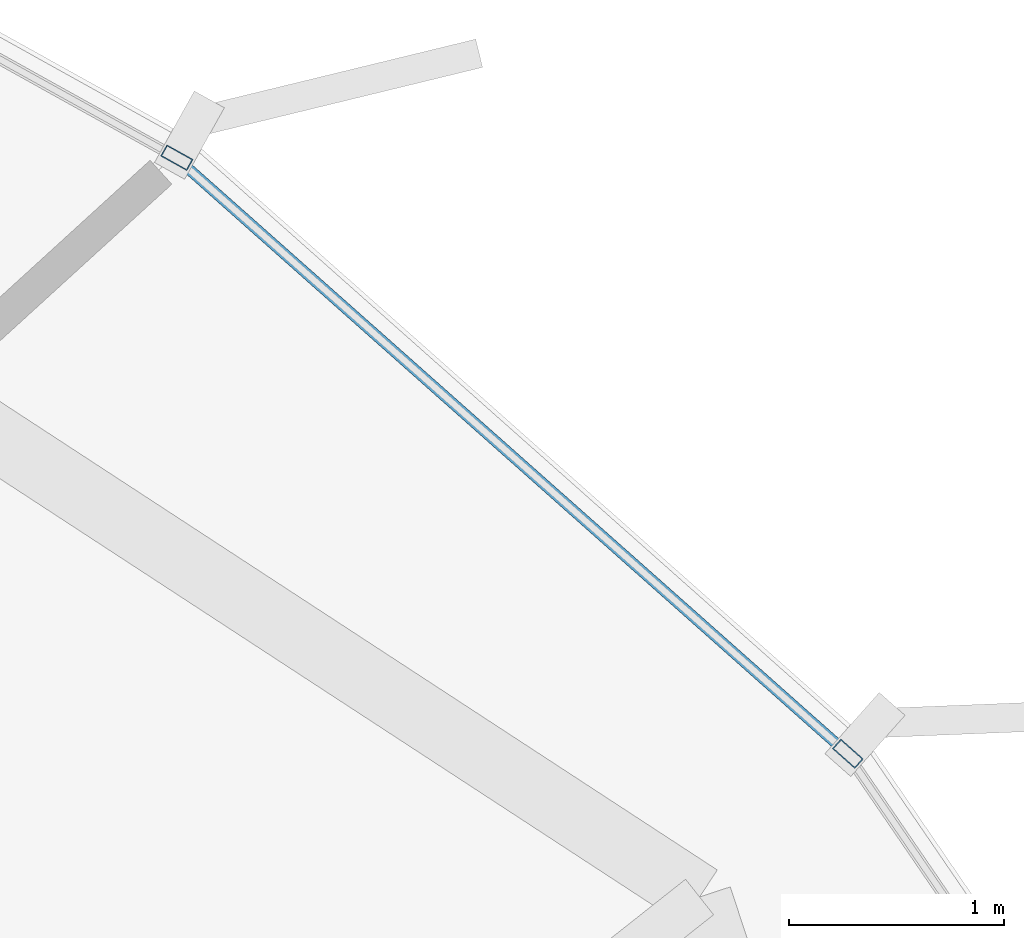
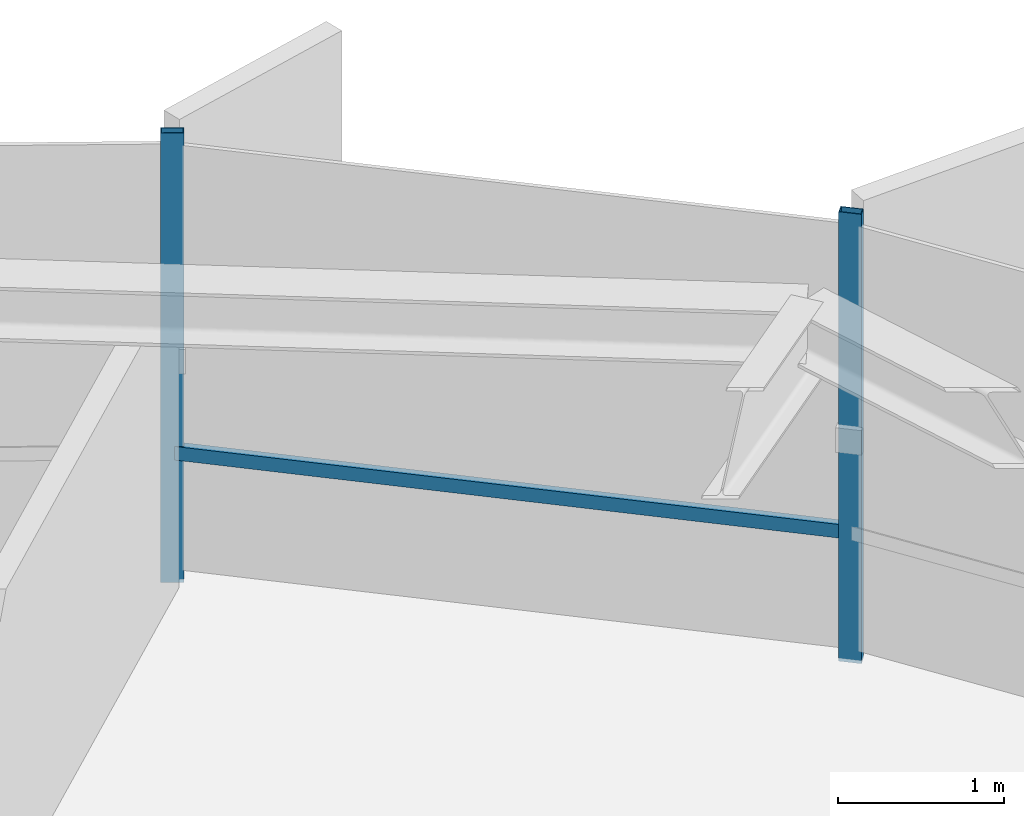
# One storey, part 26 of 36: 3 members, 1 element without a shape of its own.
"""IFC4 building model written with IfcOpenShell, lengths in metres."""

from ifc_helpers import new_model, si_unit, direction, frame, origin, origin_2d, place, context, subcontext, project, spatial, hollow_rectangle, extrude, source, transform, mapped, material, layer, layer_set, material_profile, profile_set, type_object, element, aggregate, save


model = new_model("IFC4")

# Units and contexts
model_context = context("Model", 3, precision=1e-05, world=origin(), true_north=direction((0.0, 1.0)))
body_context = subcontext(model_context, "Body", "Model", "MODEL_VIEW")
ifc_project = project(units=[si_unit("LENGTHUNIT", "METRE"), si_unit("AREAUNIT", "SQUARE_METRE"), si_unit("VOLUMEUNIT", "CUBIC_METRE"), si_unit("PLANEANGLEUNIT", "RADIAN"), si_unit("MASSUNIT", "GRAM", prefix="KILO"), si_unit("THERMODYNAMICTEMPERATUREUNIT", "KELVIN")], contexts=[model_context])

# Site, building, storey
site_placement = place(None, origin())
site = spatial("IfcSite", under=ifc_project, at=site_placement, CompositionType="ELEMENT")
building_placement = place(site_placement, origin())
building = spatial("IfcBuilding", under=site, at=building_placement, Name="Kethvar Cultural Tower", CompositionType="ELEMENT")
storey_placement = place(building_placement, frame((0.0, 0.0, 143.0)))
storey = spatial("IfcBuildingStorey", under=building, at=storey_placement, Name="L36", CompositionType="ELEMENT", Elevation=143.0)

# Curtain wall, members
ifc_material = material(Name="Aluminium 6063-T6", Category="aluminium")
ifc_layer = layer(ifc_material, 0.179931640625, Name="Aluminium 6063-T6", Category="aluminium")
ifc_layer_set = layer_set([ifc_layer], Name="Aluminium 6063-T6 (180 mm)")
curtain_wall_type = type_object("IfcCurtainWallType", Name="CW-SYS-04-Z34", PredefinedType="NOTDEFINED", material=ifc_layer_set)
curtain_wall_placement = place(storey_placement, origin())
curtain_wall = element("IfcCurtainWall", 1, at=curtain_wall_placement, inside=storey, type_object=curtain_wall_type, Name="L36 Curtain Wall Run 01", PredefinedType="NOTDEFINED")
ifc_material_profile_1 = material_profile(ifc_material, hollow_rectangle(XDim=0.06005859375, YDim=0.139892578125, WallThickness=0.0048828125, at=origin_2d()), Name="Aluminium 6063-T6 — RHS140x60x5")
ifc_profile_set_1 = profile_set([ifc_material_profile_1], Name="Aluminium 6063-T6 — RHS140x60x5")
member_type_1 = type_object("IfcMemberType", Name="CW-SYS-04-Z34-MUL", PredefinedType="MULLION", material=ifc_profile_set_1)
shared_shape_1 = source(origin(), body_context, "Body", "SweptSolid", [
    extrude(hollow_rectangle(XDim=0.06005859375, YDim=0.139892578125, WallThickness=0.0048828125, at=origin_2d()), origin(), (0.0, 0.0, 1.0), 3.300048828125),
])
member_1_placement = place(storey_placement, frame((71.768310546875, 44.994384765625, 0.0), z_axis=(0.0, 0.0, 1.0), x_axis=(-0.663639029862, -0.748052964731, 0.0)))
member_1 = element("IfcMember", 2, at=member_1_placement, type_object=member_type_1, Name="CW-L36-R01 Mullion 2", PredefinedType="MULLION", context=body_context, shape_type="MappedRepresentation", body=[
    mapped(shared_shape_1, transform((0.0, 0.0, 0.0), scale=1.0)),
])
member_2_placement = place(storey_placement, frame((68.65185546875, 47.7626953125, 0.0), z_axis=(0.0, 0.0, 1.0), x_axis=(-0.486076105583, -0.873916483185, 0.0)))
member_2 = element("IfcMember", 3, at=member_2_placement, type_object=member_type_1, Name="CW-L36-R01 Mullion 3", PredefinedType="MULLION", context=body_context, shape_type="MappedRepresentation", body=[
    mapped(shared_shape_1, transform((0.0, 0.0, 0.0), scale=1.0)),
])
ifc_material_profile_2 = material_profile(ifc_material, hollow_rectangle(XDim=0.050048828125, YDim=0.10009765625, WallThickness=0.00390625, at=origin_2d()), Name="Aluminium 6063-T6 — RHS100x50x4")
ifc_profile_set_2 = profile_set([ifc_material_profile_2], Name="Aluminium 6063-T6 — RHS100x50x4")
member_type_2 = type_object("IfcMemberType", Name="CW-SYS-04-Z34-TRN", PredefinedType="USERDEFINED", material=ifc_profile_set_2)
shared_shape_2 = source(origin(), body_context, "Body", "SweptSolid", [
    extrude(hollow_rectangle(XDim=0.050048828125, YDim=0.10009765625, WallThickness=0.00390625, at=origin_2d()), origin(), (0.0, 0.0, 1.0), 4.10595703125),
])
member_3_placement = place(storey_placement, frame((71.736083984375, 45.02294921875, 0.949951171875), z_axis=(-0.748061783733, 0.663629088963, 0.0), x_axis=(-0.663629088963, -0.748061783733, 0.0)))
member_3 = element("IfcMember", 4, at=member_3_placement, type_object=member_type_2, Name="CW-L36-R01 Transom 2", ObjectType="TRANSOM", PredefinedType="USERDEFINED", context=body_context, shape_type="MappedRepresentation", body=[
    mapped(shared_shape_2, transform((0.0, 0.0, 0.0), scale=1.0)),
])
aggregate(curtain_wall, [member_1, member_2, member_3])

save(model, "model.ifc")
